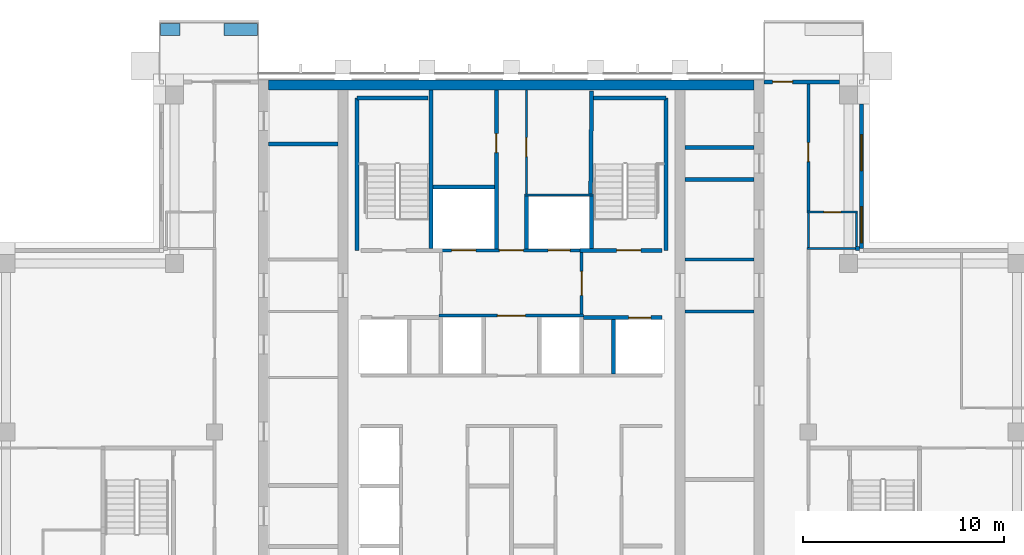
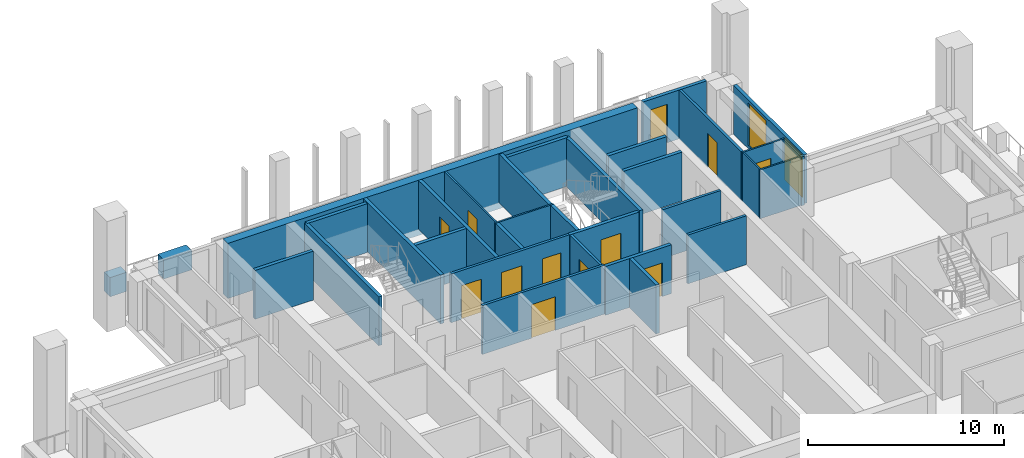
# One storey, part 11 of 16: 34 walls, 12 doors, 2 windows, 14 openings.
"""IFC4 building model written with IfcOpenShell, lengths in metres."""

from ifc_helpers import new_model, si_unit, direction, frame, frame_2d, origin, place, context, subcontext, project, spatial, rectangle, extrude, material, layer, layer_set, type_object, element, fill, save


model = new_model("IFC4")

# Units and contexts
model_context = context("Model", 3, precision=1e-05, world=origin(), true_north=direction((0.0, 1.0)))
body_context = subcontext(model_context, "Body", "Model", "MODEL_VIEW")
ifc_project = project(units=[si_unit("LENGTHUNIT", "METRE"), si_unit("AREAUNIT", "SQUARE_METRE"), si_unit("VOLUMEUNIT", "CUBIC_METRE"), si_unit("PLANEANGLEUNIT", "RADIAN"), si_unit("MASSUNIT", "GRAM", prefix="KILO")], contexts=[model_context])

# Site, building, storey
site_placement = place(None, origin())
site = spatial("IfcSite", under=ifc_project, at=site_placement, CompositionType="ELEMENT")
building_placement = place(site_placement, origin())
building = spatial("IfcBuilding", under=site, at=building_placement, Name="Vermilion Ogive Tower", CompositionType="ELEMENT")
storey_placement = place(building_placement, frame((0.0, 0.0, 247.60009765625)))
storey = spatial("IfcBuildingStorey", under=building, at=storey_placement, Name="L65", CompositionType="ELEMENT", Elevation=247.60009765625)

# Walls
ifc_material_1 = material(Name="Concrete B60", Category="concrete")
ifc_layer_1 = layer(ifc_material_1, 0.5)
ifc_layer_set_1 = layer_set([ifc_layer_1], Name="Core wall 500 B60")
wall_type_1 = type_object("IfcWallType", Name="Core wall 500 B60", PredefinedType="SHEAR", material=ifc_layer_set_1)
wall_1_placement = place(storey_placement, frame((-12.10009765625, 21.5, -0.400146484375), z_axis=(0.0, 0.0, 1.0), x_axis=(1.0, 0.0, 0.0)))
element("IfcWall", 1, at=wall_1_placement, inside=storey, type_object=wall_type_1, Name="L65-CORE-N", PredefinedType="SHEAR", context=body_context, shape_type="SweptSolid", body=[
    extrude(rectangle(XDim=24.2001953125, YDim=0.5, at=frame_2d((12.10009765625, 0.0))), origin(), (0.0, 0.0, 1.0), 3.449951171875),
])
ifc_material_2 = material(Name="Gypsum board partition on steel studs", Category="steel")
ifc_layer_2 = layer(ifc_material_2, 0.10009765625)
ifc_layer_set_2 = layer_set([ifc_layer_2], Name="Partition 100 bath")
wall_type_2 = type_object("IfcWallType", Name="Partition 100 bath", PredefinedType="PARTITIONING", material=ifc_layer_set_2)
wall_2_placement = place(storey_placement, frame((14.72509765625, 13.35009765625, 0.0), z_axis=(0.0, 0.0, 1.0), x_axis=(1.0, 0.0, 0.0)))
element("IfcWall", 2, at=wall_2_placement, inside=storey, type_object=wall_type_2, Name="L65-W-W031", PredefinedType="PARTITIONING", context=body_context, shape_type="SweptSolid", body=[
    extrude(rectangle(XDim=2.52490234375, YDim=0.10009765625, at=frame_2d((1.262451171875, 0.0))), origin(), (0.0, 0.0, 1.0), 3.0498046875),
])

# Wall, opening, door
wall_3_placement = place(storey_placement, frame((14.72509765625, 15.14990234375, 0.0), z_axis=(0.0, 0.0, 1.0), x_axis=(1.0, 0.0, 0.0)))
wall_3 = element("IfcWall", 3, at=wall_3_placement, inside=storey, type_object=wall_type_2, Name="L65-W-W034", PredefinedType="PARTITIONING", context=body_context, shape_type="SweptSolid", body=[
    extrude(rectangle(XDim=2.52490234375, YDim=0.10009765625, at=frame_2d((1.262451171875, 0.0))), origin(), (0.0, 0.0, 1.0), 3.0498046875),
])
opening_1_placement = place(wall_3_placement, frame((0.849853515625, 0.0, 0.0)))
opening_1 = element("IfcOpeningElement", 4, at=opening_1_placement, cuts=wall_3, Name="Opening D5G4019", PredefinedType="OPENING", context=body_context, shape_type="SweptSolid", body=[
    extrude(rectangle(XDim=0.85009765625, YDim=2.10009765625, at=frame_2d((0.425048828125, 1.050048828125))), frame((0.0, 0.06005859375, 0.0), z_axis=(0.0, -1.0, 0.0), x_axis=(1.0, 0.0, 0.0)), (0.0, 0.0, 1.0), 0.1201171875),
])
ifc_material_3 = material(Name="Timber door leaf", Category="wood")
door_type_1 = type_object("IfcDoorType", Name="Bath door 850 x 2100 FD30", OperationType="SINGLE_SWING_LEFT", PredefinedType="DOOR", material=ifc_material_3)
door_1_placement = place(opening_1_placement, origin())
door_1 = element("IfcDoor", 5, at=door_1_placement, inside=storey, type_object=door_type_1, Name="L65-D-D019", OperationType="SINGLE_SWING_RIGHT", OverallHeight=2.10009765625, OverallWidth=0.85009765625, PredefinedType="DOOR", context=body_context, shape_type="SweptSolid", body=[
    extrude(rectangle(XDim=0.85009765625, YDim=2.10009765625, at=frame_2d((0.425048828125, 1.050048828125))), frame((0.0, 0.02490234375, 0.0), z_axis=(0.0, -1.0, 0.0), x_axis=(1.0, 0.0, 0.0)), (0.0, 0.0, 1.0), 0.050048828125),
])
fill(opening_1, door_1)

# Walls
wall_4_placement = place(storey_placement, frame((14.800048828125, 13.39990234375, 0.0), z_axis=(0.0, 0.0, 1.0), x_axis=(0.0, 1.0, 0.0)))
element("IfcWall", 6, at=wall_4_placement, inside=storey, type_object=wall_type_2, Name="L65-W-W057", PredefinedType="PARTITIONING", context=body_context, shape_type="SweptSolid", body=[
    extrude(rectangle(XDim=1.7001953125, YDim=0.10009765625, at=frame_2d((0.85009765625, 0.0))), origin(), (0.0, 0.0, 1.0), 3.0498046875),
])
wall_5_placement = place(storey_placement, frame((17.199951171875, 13.449951171875, 0.0), z_axis=(0.0, 0.0, 1.0), x_axis=(0.0, 1.0, 0.0)))
element("IfcWall", 7, at=wall_5_placement, inside=storey, type_object=wall_type_2, Name="L65-W-W061", PredefinedType="PARTITIONING", context=body_context, shape_type="SweptSolid", body=[
    extrude(rectangle(XDim=1.650146484375, YDim=0.10009765625, at=frame_2d((0.8251953125, 0.0))), origin(), (0.0, 0.0, 1.0), 3.0498046875),
])
wall_6_placement = place(storey_placement, frame((0.64990234375, 16.0, 0.0), z_axis=(0.0, 0.0, 1.0), x_axis=(1.0, 0.0, 0.0)))
element("IfcWall", 8, at=wall_6_placement, inside=storey, type_object=wall_type_2, Name="L65-CK-W-W018", PredefinedType="PARTITIONING", context=body_context, shape_type="SweptSolid", body=[
    extrude(rectangle(XDim=3.4501953125, YDim=0.10009765625, at=frame_2d((1.72509765625, 0.0))), origin(), (0.0, 0.0, 1.0), 3.0498046875),
])

# Wall, opening, door
wall_7_placement = place(storey_placement, frame((0.75, 16.050048828125, 0.0), z_axis=(0.0, 0.0, 1.0), x_axis=(0.0, 1.0, 0.0)))
wall_7 = element("IfcWall", 9, at=wall_7_placement, inside=storey, type_object=wall_type_2, Name="L65-CK-W-W030", PredefinedType="PARTITIONING", context=body_context, shape_type="SweptSolid", body=[
    extrude(rectangle(XDim=5.198974609375, YDim=0.10009765625, at=frame_2d((2.599609375, 0.0))), origin(), (0.0, 0.0, 1.0), 3.0498046875),
])
opening_2_placement = place(wall_7_placement, frame((1.875, 0.0, 0.0)))
opening_2 = element("IfcOpeningElement", 10, at=opening_2_placement, cuts=wall_7, Name="Opening DAA621", PredefinedType="OPENING", context=body_context, shape_type="SweptSolid", body=[
    extrude(rectangle(XDim=0.949951171875, YDim=2.10009765625, at=frame_2d((0.47509765625, 1.050048828125))), frame((0.0, 0.06005859375, 0.0), z_axis=(0.0, -1.0, 0.0), x_axis=(1.0, 0.0, 0.0)), (0.0, 0.0, 1.0), 0.1201171875),
])
ifc_material_4 = material(Name="Timber door leaf", Category="wood")
door_type_2 = type_object("IfcDoorType", Name="Service door 950 x 2100 FD60", OperationType="SINGLE_SWING_LEFT", PredefinedType="DOOR", material=ifc_material_4)
door_2_placement = place(opening_2_placement, origin())
door_2 = element("IfcDoor", 11, at=door_2_placement, inside=storey, type_object=door_type_2, Name="L65-CK-D-D022", OperationType="SINGLE_SWING_LEFT", OverallHeight=2.10009765625, OverallWidth=0.949951171875, PredefinedType="DOOR", context=body_context, shape_type="SweptSolid", body=[
    extrude(rectangle(XDim=0.949951171875, YDim=2.10009765625, at=frame_2d((0.47509765625, 1.050048828125))), frame((0.0, 0.02490234375, 0.0), z_axis=(0.0, -1.0, 0.0), x_axis=(1.0, 0.0, 0.0)), (0.0, 0.0, 1.0), 0.050048828125),
])
fill(opening_2, door_2)

ifc_material_5 = material(Name="Gypsum board partition on steel studs", Category="steel")
ifc_layer_3 = layer(ifc_material_5, 0.14990234375)
ifc_layer_set_3 = layer_set([ifc_layer_3], Name="Partition 150 corridor")
wall_type_3 = type_object("IfcWallType", Name="Partition 150 corridor", PredefinedType="PARTITIONING", material=ifc_layer_set_3)
wall_8_placement = place(storey_placement, frame((14.800048828125, 15.199951171875, 0.0), z_axis=(0.0, 0.0, 1.0), x_axis=(0.0, 1.0, 0.0)))
wall_8 = element("IfcWall", 12, at=wall_8_placement, inside=storey, type_object=wall_type_3, Name="L65-W-W058", PredefinedType="PARTITIONING", context=body_context, shape_type="SweptSolid", body=[
    extrude(rectangle(XDim=6.35009765625, YDim=0.14990234375, at=frame_2d((3.175048828125, 0.0))), origin(), (0.0, 0.0, 1.0), 3.0498046875),
])
opening_3_placement = place(wall_8_placement, frame((2.47509765625, 0.0, 0.0)))
opening_3 = element("IfcOpeningElement", 13, at=opening_3_placement, cuts=wall_8, Name="Opening D5G4018", PredefinedType="OPENING", context=body_context, shape_type="SweptSolid", body=[
    extrude(rectangle(XDim=0.949951171875, YDim=2.10009765625, at=frame_2d((0.47509765625, 1.050048828125))), frame((0.0, 0.0849609375, 0.0), z_axis=(0.0, -1.0, 0.0), x_axis=(1.0, 0.0, 0.0)), (0.0, 0.0, 1.0), 0.169921875),
])
ifc_material_6 = material(Name="Timber door leaf", Category="wood")
door_type_3 = type_object("IfcDoorType", Name="Unit door 950 x 2100 FD30S", OperationType="SINGLE_SWING_LEFT", PredefinedType="DOOR", material=ifc_material_6)
door_3_placement = place(opening_3_placement, origin())
door_3 = element("IfcDoor", 14, at=door_3_placement, inside=storey, type_object=door_type_3, Name="L65-D-D018", OperationType="SINGLE_SWING_LEFT", OverallHeight=2.10009765625, OverallWidth=0.949951171875, PredefinedType="DOOR", context=body_context, shape_type="SweptSolid", body=[
    extrude(rectangle(XDim=0.949951171875, YDim=2.10009765625, at=frame_2d((0.47509765625, 1.050048828125))), frame((0.0, 0.02490234375, 0.0), z_axis=(0.0, -1.0, 0.0), x_axis=(1.0, 0.0, 0.0)), (0.0, 0.0, 1.0), 0.050048828125),
])
fill(opening_3, door_3)

wall_9_placement = place(storey_placement, frame((-3.60009765625, 10.0, 0.0), z_axis=(0.0, 0.0, 1.0), x_axis=(1.0, 0.0, 0.0)))
wall_9 = element("IfcWall", 15, at=wall_9_placement, inside=storey, type_object=wall_type_3, Name="L65-CK-W-W014", PredefinedType="PARTITIONING", context=body_context, shape_type="SweptSolid", body=[
    extrude(rectangle(XDim=7.2001953125, YDim=0.14990234375, at=frame_2d((3.60009765625, 0.0))), origin(), (0.0, 0.0, 1.0), 3.0498046875),
])
opening_4_placement = place(wall_9_placement, frame((2.900146484375, 0.0, 0.0)))
opening_4 = element("IfcOpeningElement", 16, at=opening_4_placement, cuts=wall_9, Name="Opening DAA612", PredefinedType="OPENING", context=body_context, shape_type="SweptSolid", body=[
    extrude(rectangle(XDim=1.39990234375, YDim=2.10009765625, at=frame_2d((0.699951171875, 1.050048828125))), frame((0.0, 0.0849609375, 0.0), z_axis=(0.0, -1.0, 0.0), x_axis=(1.0, 0.0, 0.0)), (0.0, 0.0, 1.0), 0.169921875),
])
ifc_material_7 = material(Name="Timber door leaf", Category="wood")
door_type_4 = type_object("IfcDoorType", Name="Lobby door 1400 x 2100 FD60S", OperationType="SINGLE_SWING_LEFT", PredefinedType="DOOR", material=ifc_material_7)
door_4_placement = place(opening_4_placement, origin())
door_4 = element("IfcDoor", 17, at=door_4_placement, inside=storey, type_object=door_type_4, Name="L65-CK-D-D017", OperationType="SINGLE_SWING_RIGHT", OverallHeight=2.10009765625, OverallWidth=1.39990234375, PredefinedType="DOOR", context=body_context, shape_type="SweptSolid", body=[
    extrude(rectangle(XDim=1.39990234375, YDim=2.10009765625, at=frame_2d((0.699951171875, 1.050048828125))), frame((0.0, 0.02490234375, 0.0), z_axis=(0.0, -1.0, 0.0), x_axis=(1.0, 0.0, 0.0)), (0.0, 0.0, 1.0), 0.050048828125),
])
fill(opening_4, door_4)

# Wall, openings, doors
wall_10_placement = place(storey_placement, frame((-3.574951171875, 13.25, 0.0), z_axis=(0.0, 0.0, 1.0), x_axis=(1.0, 0.0, 0.0)))
wall_10 = element("IfcWall", 18, at=wall_10_placement, inside=storey, type_object=wall_type_3, Name="L65-CK-W-W016", PredefinedType="PARTITIONING", context=body_context, shape_type="SweptSolid", body=[
    extrude(rectangle(XDim=7.14990234375, YDim=0.14990234375, at=frame_2d((3.574951171875, 0.0))), origin(), (0.0, 0.0, 1.0), 3.0498046875),
])
opening_5_placement = place(wall_10_placement, frame((0.599853515625, 0.0, 0.0)))
opening_5 = element("IfcOpeningElement", 19, at=opening_5_placement, cuts=wall_10, Name="Opening DAA632", PredefinedType="OPENING", context=body_context, shape_type="SweptSolid", body=[
    extrude(rectangle(XDim=1.199951171875, YDim=2.10009765625, at=frame_2d((0.60009765625, 1.050048828125))), frame((0.0, 0.0849609375, 0.0), z_axis=(0.0, -1.0, 0.0), x_axis=(1.0, 0.0, 0.0)), (0.0, 0.0, 1.0), 0.169921875),
])
opening_6_placement = place(wall_10_placement, frame((5.39990234375, 0.0, 0.0)))
opening_6 = element("IfcOpeningElement", 20, at=opening_6_placement, cuts=wall_10, Name="Opening DAA631", PredefinedType="OPENING", context=body_context, shape_type="SweptSolid", body=[
    extrude(rectangle(XDim=1.10009765625, YDim=2.10009765625, at=frame_2d((0.550048828125, 1.050048828125))), frame((0.0, 0.0849609375, 0.0), z_axis=(0.0, -1.0, 0.0), x_axis=(1.0, 0.0, 0.0)), (0.0, 0.0, 1.0), 0.169921875),
])
opening_7_placement = place(wall_10_placement, frame((2.974853515625, 0.0, 0.0)))
opening_7 = element("IfcOpeningElement", 21, at=opening_7_placement, cuts=wall_10, Name="Opening DAA613", PredefinedType="OPENING", context=body_context, shape_type="SweptSolid", body=[
    extrude(rectangle(XDim=1.199951171875, YDim=2.10009765625, at=frame_2d((0.60009765625, 1.050048828125))), frame((0.0, 0.0849609375, 0.0), z_axis=(0.0, -1.0, 0.0), x_axis=(1.0, 0.0, 0.0)), (0.0, 0.0, 1.0), 0.169921875),
])
ifc_material_8 = material(Name="Stainless steel", Category="steel")
door_type_5 = type_object("IfcDoorType", Name="Lift landing door 1100 x 2100", OperationType="SLIDING_TO_LEFT", PredefinedType="DOOR", material=ifc_material_8)
door_5_placement = place(opening_6_placement, origin())
door_5 = element("IfcDoor", 22, at=door_5_placement, inside=storey, type_object=door_type_5, Name="L65-CK-D-D019", OperationType="SLIDING_TO_LEFT", OverallHeight=2.10009765625, OverallWidth=1.10009765625, PredefinedType="DOOR", context=body_context, shape_type="SweptSolid", body=[
    extrude(rectangle(XDim=1.10009765625, YDim=2.10009765625, at=frame_2d((0.550048828125, 1.050048828125))), frame((0.0, 0.02490234375, 0.0), z_axis=(0.0, -1.0, 0.0), x_axis=(1.0, 0.0, 0.0)), (0.0, 0.0, 1.0), 0.050048828125),
])
fill(opening_6, door_5)
ifc_material_9 = material(Name="Stainless steel", Category="steel")
door_type_6 = type_object("IfcDoorType", Name="Lift landing door 1200 x 2100", OperationType="SLIDING_TO_LEFT", PredefinedType="DOOR", material=ifc_material_9)
door_6_placement = place(opening_5_placement, origin())
door_6 = element("IfcDoor", 23, at=door_6_placement, inside=storey, type_object=door_type_6, Name="L65-CK-D-D018", OperationType="SLIDING_TO_RIGHT", OverallHeight=2.10009765625, OverallWidth=1.199951171875, PredefinedType="DOOR", context=body_context, shape_type="SweptSolid", body=[
    extrude(rectangle(XDim=1.199951171875, YDim=2.10009765625, at=frame_2d((0.60009765625, 1.050048828125))), frame((0.0, 0.02490234375, 0.0), z_axis=(0.0, -1.0, 0.0), x_axis=(1.0, 0.0, 0.0)), (0.0, 0.0, 1.0), 0.050048828125),
])
fill(opening_5, door_6)
ifc_material_10 = material(Name="Timber door leaf", Category="wood")
door_type_7 = type_object("IfcDoorType", Name="Service door 1200 x 2100 FD60", OperationType="SINGLE_SWING_LEFT", PredefinedType="DOOR", material=ifc_material_10)
door_7_placement = place(opening_7_placement, origin())
door_7 = element("IfcDoor", 24, at=door_7_placement, inside=storey, type_object=door_type_7, Name="L65-CK-D-D020", OperationType="SINGLE_SWING_RIGHT", OverallHeight=2.10009765625, OverallWidth=1.199951171875, PredefinedType="DOOR", context=body_context, shape_type="SweptSolid", body=[
    extrude(rectangle(XDim=1.199951171875, YDim=2.10009765625, at=frame_2d((0.60009765625, 1.050048828125))), frame((0.0, 0.02490234375, 0.0), z_axis=(0.0, -1.0, 0.0), x_axis=(1.0, 0.0, 0.0)), (0.0, 0.0, 1.0), 0.050048828125),
])
fill(opening_7, door_7)

# Wall, opening, door
wall_11_placement = place(storey_placement, frame((3.5, 10.074951171875, 0.0), z_axis=(0.0, 0.0, 1.0), x_axis=(0.0, 1.0, 0.0)))
wall_11 = element("IfcWall", 25, at=wall_11_placement, inside=storey, type_object=wall_type_3, Name="L65-CK-W-W034", PredefinedType="PARTITIONING", context=body_context, shape_type="SweptSolid", body=[
    extrude(rectangle(XDim=3.074951171875, YDim=0.14990234375, at=frame_2d((1.53759765625, 0.0))), origin(), (0.0, 0.0, 1.0), 3.0498046875),
])
opening_8_placement = place(wall_11_placement, frame((0.925048828125, 0.0, 0.0)))
opening_8 = element("IfcOpeningElement", 26, at=opening_8_placement, cuts=wall_11, Name="Opening DAA610", PredefinedType="OPENING", context=body_context, shape_type="SweptSolid", body=[
    extrude(rectangle(XDim=1.199951171875, YDim=2.10009765625, at=frame_2d((0.60009765625, 1.050048828125))), frame((0.0, 0.0849609375, 0.0), z_axis=(0.0, -1.0, 0.0), x_axis=(1.0, 0.0, 0.0)), (0.0, 0.0, 1.0), 0.169921875),
])
ifc_material_11 = material(Name="Timber door leaf", Category="wood")
door_type_8 = type_object("IfcDoorType", Name="Lobby door 1200 x 2100 FD60S", OperationType="SINGLE_SWING_LEFT", PredefinedType="DOOR", material=ifc_material_11)
door_8_placement = place(opening_8_placement, origin())
door_8 = element("IfcDoor", 27, at=door_8_placement, inside=storey, type_object=door_type_8, Name="L65-CK-D-D024", OperationType="SINGLE_SWING_LEFT", OverallHeight=2.10009765625, OverallWidth=1.199951171875, PredefinedType="DOOR", context=body_context, shape_type="SweptSolid", body=[
    extrude(rectangle(XDim=1.199951171875, YDim=2.10009765625, at=frame_2d((0.60009765625, 1.050048828125))), frame((0.0, 0.02490234375, 0.0), z_axis=(0.0, -1.0, 0.0), x_axis=(1.0, 0.0, 0.0)), (0.0, 0.0, 1.0), 0.050048828125),
])
fill(opening_8, door_8)

# Walls
for number, where, z_axis, x_axis, name in (
    (28, (8.65087890625, 10.199951171875, 0.0), (0.0, 0.0, 1.0), (1.0, 0.0, 0.0), "L65-CKE-W-W002"),
    (29, (8.65087890625, 12.800048828125, 0.0), (0.0, 0.0, 1.0), (1.0, 0.0, 0.0), "L65-CKE-W-W003"),
):
    element("IfcWall", number, at=place(storey_placement, frame(where, z_axis=z_axis, x_axis=x_axis)), inside=storey, type_object=wall_type_3, Name=name, PredefinedType="PARTITIONING", context=body_context, shape_type="SweptSolid", body=[
        extrude(rectangle(XDim=3.4482421875, YDim=0.14990234375, at=frame_2d((1.72412109375, 0.0))), origin(), (0.0, 0.0, 1.0), 3.0498046875),
    ])
ifc_material_12 = material(Name="Gypsum board partition on steel studs", Category="steel")
ifc_layer_4 = layer(ifc_material_12, 0.199951171875)
ifc_layer_set_4 = layer_set([ifc_layer_4], Name="Partition 200 party")
wall_type_4 = type_object("IfcWallType", Name="Partition 200 party", PredefinedType="PARTITIONING", material=ifc_layer_set_4)
wall_12_placement = place(storey_placement, frame((17.14990234375, 13.35009765625, 0.0), z_axis=(0.0, 0.0, 1.0), x_axis=(1.0, 0.0, 0.0)))
element("IfcWall", 30, at=wall_12_placement, inside=storey, type_object=wall_type_4, Name="L65-W-W032", PredefinedType="PARTITIONING", context=body_context, shape_type="SweptSolid", body=[
    extrude(rectangle(XDim=0.2001953125, YDim=0.199951171875, at=frame_2d((0.10009765625, 0.0))), origin(), (0.0, 0.0, 1.0), 3.0498046875),
])

# Wall, opening, door
wall_13_placement = place(storey_placement, frame((3.60009765625, 9.89990234375, 0.0), z_axis=(0.0, 0.0, 1.0), x_axis=(1.0, 0.0, 0.0)))
wall_13 = element("IfcWall", 31, at=wall_13_placement, inside=storey, type_object=wall_type_4, Name="L65-CK-W-W013", PredefinedType="PARTITIONING", context=body_context, shape_type="SweptSolid", body=[
    extrude(rectangle(XDim=3.89990234375, YDim=0.199951171875, at=frame_2d((1.949951171875, 0.0))), origin(), (0.0, 0.0, 1.0), 3.0498046875),
])
opening_9_placement = place(wall_13_placement, frame((2.25, 0.0, 0.0)))
opening_9 = element("IfcOpeningElement", 32, at=opening_9_placement, cuts=wall_13, Name="Opening DAA630", PredefinedType="OPENING", context=body_context, shape_type="SweptSolid", body=[
    extrude(rectangle(XDim=1.10009765625, YDim=2.10009765625, at=frame_2d((0.550048828125, 1.050048828125))), frame((0.0, 0.10986328125, 0.0), z_axis=(0.0, -1.0, 0.0), x_axis=(1.0, 0.0, 0.0)), (0.0, 0.0, 1.0), 0.219970703125),
])
door_9_placement = place(opening_9_placement, origin())
door_9 = element("IfcDoor", 33, at=door_9_placement, inside=storey, type_object=door_type_5, Name="L65-CK-D-D015", OperationType="SLIDING_TO_LEFT", OverallHeight=2.10009765625, OverallWidth=1.10009765625, PredefinedType="DOOR", context=body_context, shape_type="SweptSolid", body=[
    extrude(rectangle(XDim=1.10009765625, YDim=2.10009765625, at=frame_2d((0.550048828125, 1.050048828125))), frame((0.0, 0.02490234375, 0.0), z_axis=(0.0, -1.0, 0.0), x_axis=(1.0, 0.0, 0.0)), (0.0, 0.0, 1.0), 0.050048828125),
])
fill(opening_9, door_9)

# Wall
wall_14_placement = place(storey_placement, frame((-3.89990234375, 16.39990234375, 0.0), z_axis=(0.0, 0.0, 1.0), x_axis=(1.0, 0.0, 0.0)))
element("IfcWall", 34, at=wall_14_placement, inside=storey, type_object=wall_type_4, Name="L65-CK-W-W019", PredefinedType="PARTITIONING", context=body_context, shape_type="SweptSolid", body=[
    extrude(rectangle(XDim=3.0498046875, YDim=0.199951171875, at=frame_2d((1.52490234375, 0.0))), origin(), (0.0, 0.0, 1.0), 3.0498046875),
])

# Wall, opening, door
wall_15_placement = place(storey_placement, frame((-0.75, 13.324951171875, 0.0), z_axis=(0.0, 0.0, 1.0), x_axis=(0.0, 1.0, 0.0)))
wall_15 = element("IfcWall", 35, at=wall_15_placement, inside=storey, type_object=wall_type_4, Name="L65-CK-W-W027", PredefinedType="PARTITIONING", context=body_context, shape_type="SweptSolid", body=[
    extrude(rectangle(XDim=7.924072265625, YDim=0.199951171875, at=frame_2d((3.9619140625, 0.0))), origin(), (0.0, 0.0, 1.0), 3.0498046875),
])
opening_10_placement = place(wall_15_placement, frame((4.800048828125, 0.0, 0.0)))
opening_10 = element("IfcOpeningElement", 36, at=opening_10_placement, cuts=wall_15, Name="Opening DAA620", PredefinedType="OPENING", context=body_context, shape_type="SweptSolid", body=[
    extrude(rectangle(XDim=0.949951171875, YDim=2.10009765625, at=frame_2d((0.47509765625, 1.050048828125))), frame((0.0, 0.10986328125, 0.0), z_axis=(0.0, -1.0, 0.0), x_axis=(1.0, 0.0, 0.0)), (0.0, 0.0, 1.0), 0.219970703125),
])
door_10_placement = place(opening_10_placement, origin())
door_10 = element("IfcDoor", 37, at=door_10_placement, inside=storey, type_object=door_type_2, Name="L65-CK-D-D021", OperationType="SINGLE_SWING_RIGHT", OverallHeight=2.10009765625, OverallWidth=0.949951171875, PredefinedType="DOOR", context=body_context, shape_type="SweptSolid", body=[
    extrude(rectangle(XDim=0.949951171875, YDim=2.10009765625, at=frame_2d((0.47509765625, 1.050048828125))), frame((0.0, 0.02490234375, 0.0), z_axis=(0.0, -1.0, 0.0), x_axis=(1.0, 0.0, 0.0)), (0.0, 0.0, 1.0), 0.050048828125),
])
fill(opening_10, door_10)

# Walls
wall_16_placement = place(storey_placement, frame((0.75, 13.324951171875, 0.0), z_axis=(0.0, 0.0, 1.0), x_axis=(0.0, 1.0, 0.0)))
element("IfcWall", 38, at=wall_16_placement, inside=storey, type_object=wall_type_4, Name="L65-CK-W-W029", PredefinedType="PARTITIONING", context=body_context, shape_type="SweptSolid", body=[
    extrude(rectangle(XDim=2.625, YDim=0.199951171875, at=frame_2d((1.3125, 0.0))), origin(), (0.0, 0.0, 1.0), 3.0498046875),
])
wall_17_placement = place(storey_placement, frame((5.10009765625, 7.074951171875, 0.0), z_axis=(0.0, 0.0, 1.0), x_axis=(0.0, 1.0, 0.0)))
element("IfcWall", 39, at=wall_17_placement, inside=storey, type_object=wall_type_4, Name="L65-CK-W-W037", PredefinedType="PARTITIONING", context=body_context, shape_type="SweptSolid", body=[
    extrude(rectangle(XDim=2.72509765625, YDim=0.199951171875, at=frame_2d((1.362548828125, 0.0))), origin(), (0.0, 0.0, 1.0), 3.0498046875),
])
for number, where, z_axis, x_axis, name in (
    (40, (-12.09912109375, 18.56005859375, 0.0), (0.0, 0.0, 1.0), (1.0, 0.0, 0.0), "L65-CKW-W-W006"),
    (41, (8.65087890625, 16.7880859375, 0.0), (0.0, 0.0, 1.0), (1.0, 0.0, 0.0), "L65-CKE-W-W004"),
    (42, (8.65087890625, 18.373046875, 0.0), (0.0, 0.0, 1.0), (1.0, 0.0, 0.0), "L65-CKE-W-W005"),
):
    element("IfcWall", number, at=place(storey_placement, frame(where, z_axis=z_axis, x_axis=x_axis)), inside=storey, type_object=wall_type_4, Name=name, PredefinedType="PARTITIONING", context=body_context, shape_type="SweptSolid", body=[
        extrude(rectangle(XDim=3.4482421875, YDim=0.199951171875, at=frame_2d((1.72412109375, 0.0))), origin(), (0.0, 0.0, 1.0), 3.0498046875),
    ])

# Wall, opening, door
ifc_material_13 = material(Name="Concrete B60", Category="concrete")
ifc_layer_5 = layer(ifc_material_13, 0.199951171875)
ifc_layer_set_5 = layer_set([ifc_layer_5], Name="Stair shaft wall 200 Concrete B60")
wall_type_5 = type_object("IfcWallType", Name="Stair shaft wall 200 Concrete B60", PredefinedType="SOLIDWALL", material=ifc_layer_set_5)
wall_18_placement = place(storey_placement, frame((3.425048828125, 13.25, 0.0), z_axis=(0.0, 0.0, 1.0), x_axis=(1.0, 0.0, 0.0)))
wall_18 = element("IfcWall", 43, at=wall_18_placement, inside=storey, type_object=wall_type_5, Name="L65-CK-W-W017", PredefinedType="SOLIDWALL", context=body_context, shape_type="SweptSolid", body=[
    extrude(rectangle(XDim=4.074951171875, YDim=0.199951171875, at=frame_2d((2.03759765625, 0.0))), origin(), (0.0, 0.0, 1.0), 3.0498046875),
])
opening_11_placement = place(wall_18_placement, frame((1.824951171875, 0.0, 0.0)))
opening_11 = element("IfcOpeningElement", 44, at=opening_11_placement, cuts=wall_18, Name="Opening DAA623", PredefinedType="OPENING", context=body_context, shape_type="SweptSolid", body=[
    extrude(rectangle(XDim=1.199951171875, YDim=2.10009765625, at=frame_2d((0.60009765625, 1.050048828125))), frame((0.0, 0.10986328125, 0.0), z_axis=(0.0, -1.0, 0.0), x_axis=(1.0, 0.0, 0.0)), (0.0, 0.0, 1.0), 0.219970703125),
])
ifc_material_14 = material(Name="Timber door leaf", Category="wood")
door_type_9 = type_object("IfcDoorType", Name="Stair door 1200 x 2100 FD60S", OperationType="SINGLE_SWING_LEFT", PredefinedType="DOOR", material=ifc_material_14)
door_11_placement = place(opening_11_placement, origin())
door_11 = element("IfcDoor", 45, at=door_11_placement, inside=storey, type_object=door_type_9, Name="L65-CK-D-D014", OperationType="SINGLE_SWING_RIGHT", OverallHeight=2.10009765625, OverallWidth=1.199951171875, PredefinedType="DOOR", context=body_context, shape_type="SweptSolid", body=[
    extrude(rectangle(XDim=1.199951171875, YDim=2.10009765625, at=frame_2d((0.60009765625, 1.050048828125))), frame((0.0, 0.02490234375, 0.0), z_axis=(0.0, -1.0, 0.0), x_axis=(1.0, 0.0, 0.0)), (0.0, 0.0, 1.0), 0.050048828125),
])
fill(opening_11, door_11)

# Walls
wall_19_placement = place(storey_placement, frame((-4.0, 13.35009765625, 0.0), z_axis=(0.0, 0.0, 1.0), x_axis=(0.0, 1.0, 0.0)))
element("IfcWall", 46, at=wall_19_placement, inside=storey, type_object=wall_type_5, Name="L65-CK-W-W022", PredefinedType="SOLIDWALL", context=body_context, shape_type="SweptSolid", body=[
    extrude(rectangle(XDim=7.89892578125, YDim=0.199951171875, at=frame_2d((3.949462890625, 0.0))), origin(), (0.0, 0.0, 1.0), 3.0498046875),
])
wall_20_placement = place(storey_placement, frame((4.0, 13.35009765625, 0.0), z_axis=(0.0, 0.0, 1.0), x_axis=(0.0, 1.0, 0.0)))
element("IfcWall", 47, at=wall_20_placement, inside=storey, type_object=wall_type_5, Name="L65-CK-W-W035", PredefinedType="SOLIDWALL", context=body_context, shape_type="SweptSolid", body=[
    extrude(rectangle(XDim=2.599853515625, YDim=0.199951171875, at=frame_2d((1.2998046875, 0.0))), origin(), (0.0, 0.0, 1.0), 3.0498046875),
])
wall_21_placement = place(storey_placement, frame((3.949951171875, 16.050048828125, 0.0), z_axis=(0.0, 0.0, 1.0), x_axis=(0.009719787395, 0.999952761751, 0.0)))
element("IfcWall", 48, at=wall_21_placement, inside=storey, type_object=wall_type_5, Name="L65-CK-W-W036", PredefinedType="SOLIDWALL", context=body_context, shape_type="SweptSolid", body=[
    extrude(rectangle(XDim=5.149169921875, YDim=0.199951171875, at=frame_2d((2.57470703125, 0.0))), origin(), (0.0, 0.0, 1.0), 3.0498046875),
])
wall_22_placement = place(storey_placement, frame((-7.699951171875, 13.25, 0.0), z_axis=(0.0, 0.0, 1.0), x_axis=(0.0, 1.0, 0.0)))
element("IfcWall", 49, at=wall_22_placement, inside=storey, type_object=wall_type_5, Name="L65-SW-R017-W1", PredefinedType="SOLIDWALL", context=body_context, shape_type="SweptSolid", body=[
    extrude(rectangle(XDim=7.60009765625, YDim=0.199951171875, at=frame_2d((3.800048828125, 0.0))), origin(), (0.0, 0.0, 1.0), 3.0498046875),
])
wall_23_placement = place(storey_placement, frame((-7.699951171875, 20.85009765625, 0.0), z_axis=(0.0, 0.0, 1.0), x_axis=(1.0, 0.0, 0.0)))
element("IfcWall", 50, at=wall_23_placement, inside=storey, type_object=wall_type_5, Name="L65-SW-R017-N1", PredefinedType="SOLIDWALL", context=body_context, shape_type="SweptSolid", body=[
    extrude(rectangle(XDim=3.550048828125, YDim=0.199951171875, at=frame_2d((1.77490234375, 0.0))), origin(), (0.0, 0.0, 1.0), 3.0498046875),
])
wall_24_placement = place(storey_placement, frame((7.699951171875, 13.25, 0.0), z_axis=(0.0, 0.0, 1.0), x_axis=(0.0, 1.0, 0.0)))
element("IfcWall", 51, at=wall_24_placement, inside=storey, type_object=wall_type_5, Name="L65-SW-R021-E1", PredefinedType="SOLIDWALL", context=body_context, shape_type="SweptSolid", body=[
    extrude(rectangle(XDim=7.60009765625, YDim=0.199951171875, at=frame_2d((3.800048828125, 0.0))), origin(), (0.0, 0.0, 1.0), 3.0498046875),
])
wall_25_placement = place(storey_placement, frame((4.10009765625, 20.85009765625, 0.0), z_axis=(0.0, 0.0, 1.0), x_axis=(1.0, 0.0, 0.0)))
element("IfcWall", 52, at=wall_25_placement, inside=storey, type_object=wall_type_5, Name="L65-SW-R021-N1", PredefinedType="SOLIDWALL", context=body_context, shape_type="SweptSolid", body=[
    extrude(rectangle(XDim=3.599853515625, YDim=0.199951171875, at=frame_2d((1.7998046875, 0.0))), origin(), (0.0, 0.0, 1.0), 3.0498046875),
])
ifc_material_15 = material(Name="Concrete B40", Category="concrete")
ifc_layer_6 = layer(ifc_material_15, 0.60009765625)
ifc_layer_set_6 = layer_set([ifc_layer_6], Name="Structural planter")
wall_type_6 = type_object("IfcWallType", Name="Structural planter", PredefinedType="USERDEFINED", material=ifc_layer_set_6)
wall_26_placement = place(storey_placement, frame((-12.659912109375, 24.253662109375, -0.0400390625), z_axis=(0.0, 0.0, 1.0), x_axis=(-1.0, 0.0, 0.0)))
element("IfcWall", 53, at=wall_26_placement, inside=storey, type_object=wall_type_6, Name="Planter N201A1", ObjectType="PLANTER", PredefinedType="USERDEFINED", context=body_context, shape_type="SweptSolid", body=[
    extrude(rectangle(XDim=1.6650390625, YDim=0.60009765625, at=frame_2d((0.83251953125, 0.0))), origin(), (0.0, 0.0, 1.0), 1.199951171875),
])
wall_27_placement = place(storey_placement, frame((-16.52490234375, 24.253662109375, -0.0400390625), z_axis=(0.0, 0.0, 1.0), x_axis=(-1.0, 0.0, 0.0)))
element("IfcWall", 54, at=wall_27_placement, inside=storey, type_object=wall_type_6, Name="Planter N201A2", ObjectType="PLANTER", PredefinedType="USERDEFINED", context=body_context, shape_type="SweptSolid", body=[
    extrude(rectangle(XDim=0.965087890625, YDim=0.60009765625, at=frame_2d((0.482421875, 0.0))), origin(), (0.0, 0.0, 1.0), 1.199951171875),
])

# Wall, openings, windows
ifc_material_16 = material(Name="Aluminium window wall framing", Category="aluminium")
ifc_layer_7 = layer(ifc_material_16, 0.199951171875)
ifc_layer_set_7 = layer_set([ifc_layer_7], Name="Window wall")
wall_type_7 = type_object("IfcWallType", Name="Window wall", PredefinedType="STANDARD", material=ifc_layer_set_7)
wall_28_placement = place(storey_placement, frame((17.449951171875, 13.35009765625, 0.0), z_axis=(0.0, 0.0, 1.0), x_axis=(0.0, 1.0, 0.0)))
wall_28 = element("IfcWall", 55, at=wall_28_placement, inside=storey, type_object=wall_type_7, Name="Window wall X41", PredefinedType="STANDARD", context=body_context, shape_type="SweptSolid", body=[
    extrude(rectangle(XDim=7.199951171875, YDim=0.199951171875, at=frame_2d((3.60009765625, 0.0))), origin(), (0.0, 0.0, 1.0), 3.0498046875),
])
opening_12_placement = place(wall_28_placement, frame((0.27490234375, 0.0, 0.199951171875)))
opening_12 = element("IfcOpeningElement", 56, at=opening_12_placement, cuts=wall_28, Name="Opening W1-X403", PredefinedType="OPENING", context=body_context, shape_type="SweptSolid", body=[
    extrude(rectangle(XDim=1.800048828125, YDim=2.64990234375, at=frame_2d((0.89990234375, 1.324951171875))), frame((0.0, 0.10986328125, 0.0), z_axis=(0.0, -1.0, 0.0), x_axis=(1.0, 0.0, 0.0)), (0.0, 0.0, 1.0), 0.219970703125),
])
opening_13_placement = place(wall_28_placement, frame((3.875, 0.0, 0.199951171875)))
opening_13 = element("IfcOpeningElement", 57, at=opening_13_placement, cuts=wall_28, Name="Opening W1-X404", PredefinedType="OPENING", context=body_context, shape_type="SweptSolid", body=[
    extrude(rectangle(XDim=1.800048828125, YDim=2.64990234375, at=frame_2d((0.89990234375, 1.324951171875))), frame((0.0, 0.10986328125, 0.0), z_axis=(0.0, -1.0, 0.0), x_axis=(1.0, 0.0, 0.0)), (0.0, 0.0, 1.0), 0.219970703125),
])
ifc_material_17 = material(Name="Aluminium framed double glazing", Category="aluminium")
window_type = type_object("IfcWindowType", Name="Guest window W1", PartitioningType="SINGLE_PANEL", PredefinedType="WINDOW", material=ifc_material_17)
window_1_placement = place(opening_12_placement, origin())
window_1 = element("IfcWindow", 58, at=window_1_placement, inside=storey, type_object=window_type, Name="Window X403", OverallHeight=2.64990234375, OverallWidth=1.800048828125, PartitioningType="SINGLE_PANEL", PredefinedType="WINDOW", context=body_context, shape_type="SweptSolid", body=[
    extrude(rectangle(XDim=1.800048828125, YDim=2.64990234375, at=frame_2d((0.89990234375, 1.324951171875))), frame((0.0, 0.030029296875, 0.0), z_axis=(0.0, -1.0, 0.0), x_axis=(1.0, 0.0, 0.0)), (0.0, 0.0, 1.0), 0.06005859375),
])
fill(opening_12, window_1)
window_2_placement = place(opening_13_placement, origin())
window_2 = element("IfcWindow", 59, at=window_2_placement, inside=storey, type_object=window_type, Name="Window X404", OverallHeight=2.64990234375, OverallWidth=1.800048828125, PartitioningType="SINGLE_PANEL", PredefinedType="WINDOW", context=body_context, shape_type="SweptSolid", body=[
    extrude(rectangle(XDim=1.800048828125, YDim=2.64990234375, at=frame_2d((0.89990234375, 1.324951171875))), frame((0.0, 0.030029296875, 0.0), z_axis=(0.0, -1.0, 0.0), x_axis=(1.0, 0.0, 0.0)), (0.0, 0.0, 1.0), 0.06005859375),
])
fill(opening_13, window_2)

# Wall, opening, door
wall_29_placement = place(storey_placement, frame((16.35009765625, 21.64990234375, 0.0), z_axis=(0.0, 0.0, 1.0), x_axis=(-1.0, 0.0, 0.0)))
wall_29 = element("IfcWall", 60, at=wall_29_placement, inside=storey, type_object=wall_type_7, Name="Window wall N11", PredefinedType="STANDARD", context=body_context, shape_type="SweptSolid", body=[
    extrude(rectangle(XDim=3.75, YDim=0.199951171875, at=frame_2d((1.875, 0.0))), origin(), (0.0, 0.0, 1.0), 3.0498046875),
])
opening_14_placement = place(wall_29_placement, frame((2.324951171875, 0.0, 0.0)))
opening_14 = element("IfcOpeningElement", 61, at=opening_14_placement, cuts=wall_29, Name="Opening D1-N103", PredefinedType="OPENING", context=body_context, shape_type="SweptSolid", body=[
    extrude(rectangle(XDim=1.0, YDim=2.39990234375, at=frame_2d((0.5, 1.199951171875))), frame((0.0, 0.10986328125, 0.0), z_axis=(0.0, -1.0, 0.0), x_axis=(1.0, 0.0, 0.0)), (0.0, 0.0, 1.0), 0.219970703125),
])
ifc_material_18 = material(Name="Aluminium framed glazed door", Category="aluminium")
door_type_10 = type_object("IfcDoorType", Name="Balcony door D1", OperationType="SINGLE_SWING_LEFT", PredefinedType="DOOR", material=ifc_material_18)
door_12_placement = place(opening_14_placement, origin())
door_12 = element("IfcDoor", 62, at=door_12_placement, inside=storey, type_object=door_type_10, Name="Balcony door N103", OperationType="SINGLE_SWING_LEFT", OverallHeight=2.39990234375, OverallWidth=1.0, PredefinedType="DOOR", context=body_context, shape_type="SweptSolid", body=[
    extrude(rectangle(XDim=1.0, YDim=2.39990234375, at=frame_2d((0.5, 1.199951171875))), frame((0.0, 0.02490234375, 0.0), z_axis=(0.0, -1.0, 0.0), x_axis=(1.0, 0.0, 0.0)), (0.0, 0.0, 1.0), 0.050048828125),
])
fill(opening_14, door_12)

save(model, "model.ifc")
